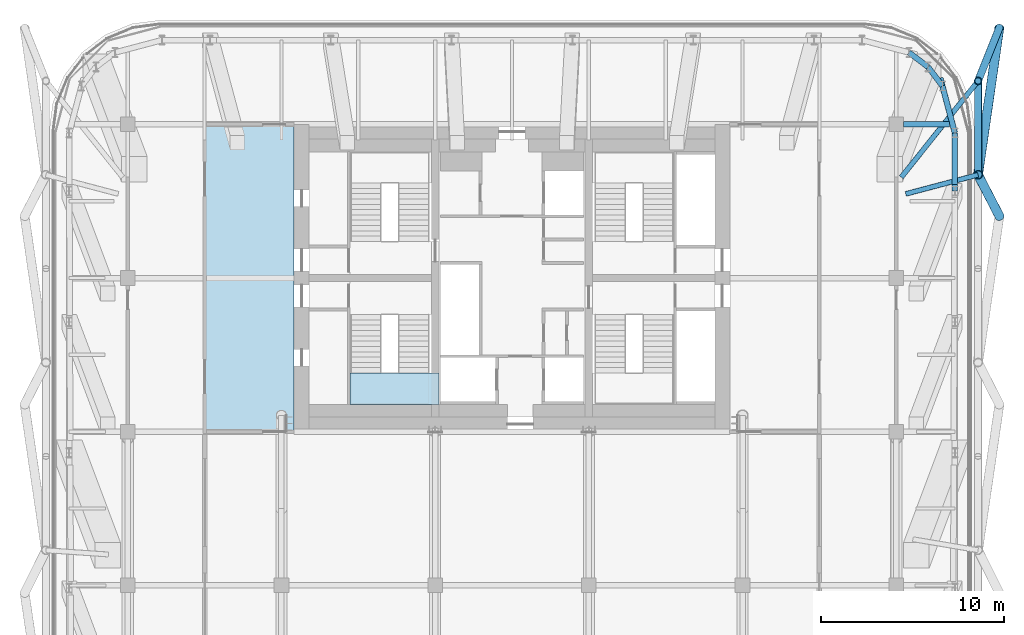
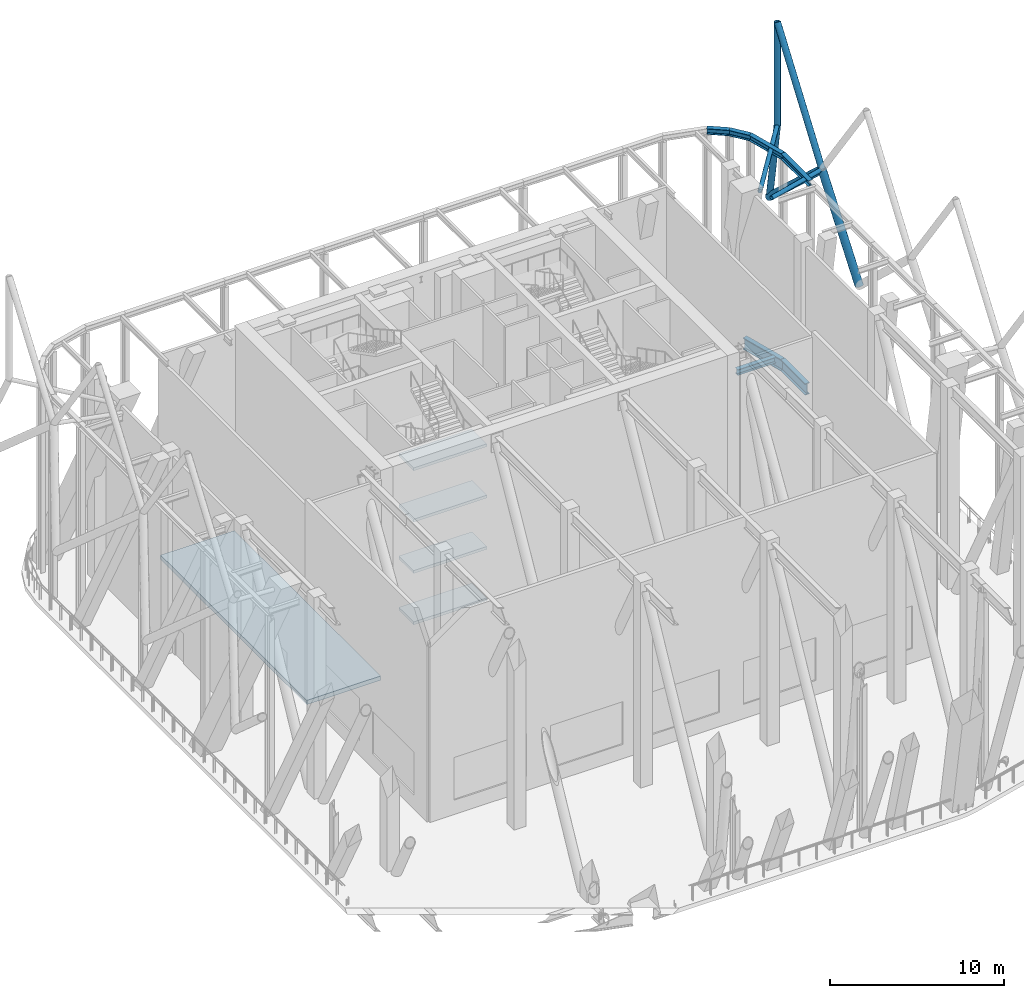
# One storey, part 8 of 20: 7 beams, 7 members, 5 slabs, 1 element without a shape of its own.
"""IFC4 building model written with IfcOpenShell, lengths in metres."""

from ifc_helpers import new_model, si_unit, direction, frame, origin, origin_2d, place, context, subcontext, project, spatial, polyline, hollow_circle, i_section, outline, extrude, material, layer, layer_set, material_profile, profile_set, type_object, element, aggregate, save


model = new_model("IFC4")

# Units and contexts
model_context = context("Model", 3, precision=1e-05, world=origin(), true_north=direction((0.0, 1.0)))
body_context = subcontext(model_context, "Body", "Model", "MODEL_VIEW")
ifc_project = project(units=[si_unit("LENGTHUNIT", "METRE"), si_unit("AREAUNIT", "SQUARE_METRE"), si_unit("VOLUMEUNIT", "CUBIC_METRE"), si_unit("PLANEANGLEUNIT", "RADIAN"), si_unit("MASSUNIT", "GRAM", prefix="KILO")], contexts=[model_context])

# Site, building, storey
site_placement = place(None, origin())
site = spatial("IfcSite", under=ifc_project, at=site_placement, CompositionType="ELEMENT")
building_placement = place(site_placement, origin())
building = spatial("IfcBuilding", under=site, at=building_placement, Name="Marenta Gate Hotel Tower", CompositionType="ELEMENT")
storey_placement = place(building_placement, frame((0.0, 0.0, 252.5)))
storey = spatial("IfcBuildingStorey", under=building, at=storey_placement, Name="L60", CompositionType="ELEMENT", Elevation=252.5)

# Members
ifc_material_1 = material(Name="Steel S355J2W", Category="steel")
ifc_material_profile_1 = material_profile(ifc_material_1, hollow_circle(Radius=0.203125, WallThickness=0.02490234375, at=origin_2d()), Name="CHS 406.4x25")
ifc_profile_set_1 = profile_set([ifc_material_profile_1], Name="Steel S355J2W")
member_type_1 = type_object("IfcMemberType", Name="Diagrid corner post Z3 CHS 406.4x25", PredefinedType="POST", material=ifc_profile_set_1)
member_1_placement = place(storey_placement, frame((26.635009765625, 22.0849609375, 6.739990234375), z_axis=(-0.148326514511, -0.371127113005, 0.916659102985), x_axis=(0.928583922291, -0.371122485525, 0.0)))
element("IfcMember", 1, at=member_1_placement, inside=storey, type_object=member_type_1, Name="L60-DR-1", PredefinedType="POST", context=body_context, shape_type="SweptSolid", body=[
    extrude(hollow_circle(Radius=0.203125, WallThickness=0.02490234375, at=origin_2d()), origin(), (0.0, 0.0, 1.0), 7.8544921875),
])
ifc_material_2 = material(Name="Steel S355J2W", Category="steel")
ifc_material_profile_2 = material_profile(ifc_material_2, hollow_circle(Radius=0.203125, WallThickness=0.01611328125, at=origin_2d()), Name="CHS 406.4x16")
ifc_profile_set_2 = profile_set([ifc_material_profile_2], Name="Steel S355J2W")
member_type_2 = type_object("IfcMemberType", Name="Diagrid corner post Z4 CHS 406.4x16", PredefinedType="POST", material=ifc_profile_set_2)
member_2_placement = place(storey_placement, frame((25.469970703125, 19.169921875, 13.93994140625), z_axis=(0.0, 0.0, 1.0), x_axis=(1.0, 0.0, 0.0)))
element("IfcMember", 2, at=member_2_placement, inside=storey, type_object=member_type_2, Name="L60-DR-7", PredefinedType="POST", context=body_context, shape_type="SweptSolid", body=[
    extrude(hollow_circle(Radius=0.203125, WallThickness=0.01611328125, at=origin_2d()), origin(), (0.0, 0.0, 1.0), 7.199951171875),
])
ifc_material_3 = material(Name="Steel S355J2W", Category="steel")
ifc_material_profile_3 = material_profile(ifc_material_3, hollow_circle(Radius=0.25390625, WallThickness=0.0400390625, at=origin_2d()), Name="CHS 508x40")
ifc_profile_set_3 = profile_set([ifc_material_profile_3], Name="Steel S355J2W")
member_type_3 = type_object("IfcMemberType", Name="Diagrid diagonal T3 CHS 508x40", PredefinedType="BRACE", material=ifc_profile_set_3)
member_3_placement = place(storey_placement, frame((26.635009765625, 22.0849609375, 6.739990234375), z_axis=(-0.107293466385, -0.740824062011, 0.663074521617), x_axis=(0.989674312051, -0.14333442038, 0.0)))
element("IfcMember", 3, at=member_3_placement, inside=storey, type_object=member_type_3, Name="L60-DG-1", PredefinedType="BRACE", context=body_context, shape_type="SweptSolid", body=[
    extrude(hollow_circle(Radius=0.25390625, WallThickness=0.0400390625, at=origin_2d()), origin(), (0.0, 0.0, 1.0), 10.8583984375),
])
member_4_placement = place(storey_placement, frame((26.635009765625, 11.78564453125, 6.739990234375), z_axis=(-0.152606305884, 0.295394896783, 0.943108249544), x_axis=(-0.888443556996, -0.458985888707, 0.0)))
element("IfcMember", 4, at=member_4_placement, inside=storey, type_object=member_type_3, Name="L60-DG-2", PredefinedType="BRACE", context=body_context, shape_type="SweptSolid", body=[
    extrude(hollow_circle(Radius=0.25390625, WallThickness=0.0400390625, at=origin_2d()), origin(), (0.0, 0.0, 1.0), 7.63427734375),
])
ifc_material_4 = material(Name="Steel S355J2W", Category="steel")
ifc_material_profile_4 = material_profile(ifc_material_4, hollow_circle(Radius=0.203125, WallThickness=0.02490234375, at=origin_2d()), Name="CHS 406.4x25")
ifc_profile_set_4 = profile_set([ifc_material_profile_4], Name="Steel S355J2W")
member_type_4 = type_object("IfcMemberType", Name="Diagrid diagonal Z4 CHS 406.4x25", PredefinedType="BRACE", material=ifc_profile_set_4)
member_5_placement = place(storey_placement, frame((25.469970703125, 14.040771484375, 13.93994140625), z_axis=(0.0, 0.580213650922, 0.81446431431), x_axis=(-1.0, 0.0, 0.0)))
element("IfcMember", 5, at=member_5_placement, inside=storey, type_object=member_type_4, Name="L60-DG-35", PredefinedType="BRACE", context=body_context, shape_type="SweptSolid", body=[
    extrude(hollow_circle(Radius=0.203125, WallThickness=0.02490234375, at=origin_2d()), origin(), (0.0, 0.0, 1.0), 8.840087890625),
])

# Beams
ifc_material_5 = material(Name="Steel S355", Category="steel")
ifc_material_profile_5 = material_profile(ifc_material_5, i_section(OverallWidth=0.302978515625, OverallDepth=0.81396484375, WebThickness=0.030029296875, FlangeThickness=0.052001953125, FilletRadius=0.030029296875, at=origin_2d()), Name="HEM 800")
ifc_profile_set_5 = profile_set([ifc_material_profile_5], Name="Steel S355")
beam_type_1 = type_object("IfcBeamType", Name="Edge beam HEM 800", PredefinedType="SPANDREL", material=ifc_profile_set_5)
beam_1_placement = place(storey_placement, frame((23.4072265625, 19.332275390625, -0.70703125), z_axis=(0.255648013319, -0.966769927794, 0.0), x_axis=(0.966769927794, 0.255648013319, 0.0)))
element("IfcBeam", 6, at=beam_1_placement, inside=storey, type_object=beam_type_1, Name="L60-EB-21", PredefinedType="SPANDREL", context=body_context, shape_type="SweptSolid", body=[
    extrude(i_section(OverallWidth=0.302978515625, OverallDepth=0.81396484375, WebThickness=0.030029296875, FlangeThickness=0.052001953125, FilletRadius=0.030029296875, at=origin_2d()), origin(), (0.0, 0.0, 1.0), 3.100830078125),
])
beam_2_placement = place(storey_placement, frame((24.199951171875, 16.33447265625, -0.70703125), z_axis=(-0.003292020626, -0.999994581285, 0.0), x_axis=(0.999994581285, -0.003292020626, 0.0)))
element("IfcBeam", 7, at=beam_2_placement, inside=storey, type_object=beam_type_1, Name="L60-EB-22", PredefinedType="SPANDREL", context=body_context, shape_type="SweptSolid", body=[
    extrude(i_section(OverallWidth=0.302978515625, OverallDepth=0.81396484375, WebThickness=0.030029296875, FlangeThickness=0.052001953125, FilletRadius=0.030029296875, at=origin_2d()), origin(), (0.0, 0.0, 1.0), 2.818115234375),
])

# Members
ifc_material_6 = material(Name="Steel S355J2W", Category="steel")
ifc_material_profile_6 = material_profile(ifc_material_6, hollow_circle(Radius=0.136474609375, WallThickness=0.012451171875, at=origin_2d()), Name="CHS 273x12.5")
ifc_profile_set_6 = profile_set([ifc_material_profile_6], Name="Steel S355J2W")
member_type_5 = type_object("IfcMemberType", Name="Floor tie CHS 273x12.5", PredefinedType="STRUT", material=ifc_profile_set_6)
member_6_placement = place(storey_placement, frame((25.469970703125, 19.169921875, 13.93994140625), z_axis=(-0.623118760931, -0.782127233751, 0.0), x_axis=(0.782127233751, -0.623118760931, 0.0)))
element("IfcMember", 8, at=member_6_placement, inside=storey, type_object=member_type_5, Name="L60-DR-13", PredefinedType="STRUT", context=body_context, shape_type="SweptSolid", body=[
    extrude(hollow_circle(Radius=0.136474609375, WallThickness=0.012451171875, at=origin_2d()), origin(), (0.0, 0.0, 1.0), 6.729736328125),
])
member_7_placement = place(storey_placement, frame((25.469970703125, 14.040771484375, 13.93994140625), z_axis=(-0.966769067154, -0.255651267928, 0.0), x_axis=(0.255651267928, -0.966769067154, 0.0)))
element("IfcMember", 9, at=member_7_placement, inside=storey, type_object=member_type_5, Name="L60-DR-14", PredefinedType="STRUT", context=body_context, shape_type="SweptSolid", body=[
    extrude(hollow_circle(Radius=0.136474609375, WallThickness=0.012451171875, at=origin_2d()), origin(), (0.0, 0.0, 1.0), 4.088134765625),
])

# Beams
ifc_material_7 = material(Name="Steel S355", Category="steel")
ifc_material_profile_7 = material_profile(ifc_material_7, i_section(OverallWidth=0.300048828125, OverallDepth=0.39990234375, WebThickness=0.013427734375, FlangeThickness=0.02392578125, FilletRadius=0.027099609375, at=origin_2d()), Name="HEB 400")
ifc_profile_set_7 = profile_set([ifc_material_profile_7], Name="Steel S355")
beam_type_2 = type_object("IfcBeamType", Name="Girder HEB 400", PredefinedType="BEAM", material=ifc_profile_set_7)
beam_3_placement = place(storey_placement, frame((21.39990234375, 16.800048828125, -0.5), z_axis=(1.0, 0.0, 0.0), x_axis=(0.0, 1.0, 0.0)))
element("IfcBeam", 10, at=beam_3_placement, inside=storey, type_object=beam_type_2, Name="L60-GD-35", PredefinedType="BEAM", context=body_context, shape_type="SweptSolid", body=[
    extrude(i_section(OverallWidth=0.300048828125, OverallDepth=0.39990234375, WebThickness=0.013427734375, FlangeThickness=0.02392578125, FilletRadius=0.027099609375, at=origin_2d()), origin(), (0.0, 0.0, 1.0), 2.520263671875),
])
ifc_material_8 = material(Name="Steel S355", Category="steel")
ifc_material_profile_8 = material_profile(ifc_material_8, i_section(OverallWidth=0.300048828125, OverallDepth=0.39990234375, WebThickness=0.013427734375, FlangeThickness=0.02392578125, FilletRadius=0.027099609375, at=origin_2d()), Name="HEB 400")
ifc_profile_set_8 = profile_set([ifc_material_profile_8], Name="Steel S355")
beam_type_3 = type_object("IfcBeamType", Name="Terrace edge beam HEB 400", PredefinedType="SPANDREL", material=ifc_profile_set_8)
for number, where, z_axis, x_axis, name in (
    (11, (21.695556640625, 20.72265625, 13.93994140625), (0.797386910814, -0.603468403865, 0.0), (0.603468403865, 0.797386910814, 0.0), "L60-TE-20"),
    (12, (22.735595703125, 19.935546875, 13.93994140625), (0.603558484076, -0.79731872943, 0.0), (0.79731872943, 0.603558484076, 0.0), "L60-TE-21"),
):
    element("IfcBeam", number, at=place(storey_placement, frame(where, z_axis=z_axis, x_axis=x_axis)), inside=storey, type_object=beam_type_3, Name=name, PredefinedType="SPANDREL", context=body_context, shape_type="SweptSolid", body=[
        extrude(i_section(OverallWidth=0.300048828125, OverallDepth=0.39990234375, WebThickness=0.013427734375, FlangeThickness=0.02392578125, FilletRadius=0.027099609375, at=origin_2d()), origin(), (0.0, 0.0, 1.0), 1.30419921875),
    ])
beam_4_placement = place(storey_placement, frame((23.522705078125, 18.895751953125, 13.93994140625), z_axis=(0.255631662681, -0.96677425133, 0.0), x_axis=(0.96677425133, 0.255631662681, 0.0)))
element("IfcBeam", 13, at=beam_4_placement, inside=storey, type_object=beam_type_3, Name="L60-TE-22", PredefinedType="SPANDREL", context=body_context, shape_type="SweptSolid", body=[
    extrude(i_section(OverallWidth=0.300048828125, OverallDepth=0.39990234375, WebThickness=0.013427734375, FlangeThickness=0.02392578125, FilletRadius=0.027099609375, at=origin_2d()), origin(), (0.0, 0.0, 1.0), 2.6494140625),
])
beam_5_placement = place(storey_placement, frame((24.199951171875, 16.33447265625, 13.93994140625), z_axis=(0.0, -1.0, 0.0), x_axis=(1.0, 0.0, 0.0)))
element("IfcBeam", 14, at=beam_5_placement, inside=storey, type_object=beam_type_3, Name="L60-TE-23", PredefinedType="SPANDREL", context=body_context, shape_type="SweptSolid", body=[
    extrude(i_section(OverallWidth=0.300048828125, OverallDepth=0.39990234375, WebThickness=0.013427734375, FlangeThickness=0.02392578125, FilletRadius=0.027099609375, at=origin_2d()), origin(), (0.0, 0.0, 1.0), 3.177978515625),
])

# Slab
ifc_material_9 = material(Name="Concrete C40", Category="concrete")
ifc_layer_1 = layer(ifc_material_9, 0.300048828125)
ifc_layer_set_1 = layer_set([ifc_layer_1], Name="Concrete C40")
slab_type_1 = type_object("IfcSlabType", Name="Core floor slab 300", PredefinedType="FLOOR", material=ifc_layer_set_1)
slab_1_placement = place(storey_placement, frame((0.0, 0.0, -0.300048828125)))
element("IfcSlab", 15, at=slab_1_placement, inside=storey, type_object=slab_type_1, Name="L60-CF-7", PredefinedType="FLOOR", context=body_context, shape_type="SweptSolid", body=[
    extrude(outline(polyline([(-11.89990234375, 16.800048828125), (-11.89990234375, 0.0), (-16.800048828125, 0.0), (-16.800048828125, 16.800048828125), (-11.89990234375, 16.800048828125)])), origin(), (0.0, 0.0, 1.0), 0.300048828125),
])

# Stair, slabs
ifc_material_10 = material(Name="Concrete C40", Category="concrete")
stair_type = type_object("IfcStairType", Name="Core exit stair 1700 wide", PredefinedType="HALF_TURN_STAIR", material=ifc_material_10)
stair_placement = place(storey_placement, origin())
stair = element("IfcStair", 16, at=stair_placement, inside=storey, type_object=stair_type, Name="Exit stair 1", PredefinedType="HALF_TURN_STAIR")
ifc_material_11 = material(Name="Concrete C40", Category="concrete")
ifc_layer_2 = layer(ifc_material_11, 0.199951171875)
ifc_layer_set_2 = layer_set([ifc_layer_2], Name="Concrete C40")
slab_type_2 = type_object("IfcSlabType", Name="Core stair landing 200", PredefinedType="LANDING", material=ifc_layer_set_2)
slab_2_placement = place(storey_placement, frame((0.0, 0.0, 1.60009765625)))
slab_2 = element("IfcSlab", 17, at=slab_2_placement, type_object=slab_type_2, Name="SL-200 ST1 landing 1", PredefinedType="LANDING", context=body_context, shape_type="SweptSolid", body=[
    extrude(outline(polyline([(-8.85009765625, 1.5), (-4.0, 1.5), (-4.0, 3.2099609375), (-8.85009765625, 3.2099609375), (-8.85009765625, 1.5)])), origin(), (0.0, 0.0, 1.0), 0.199951171875),
])
slab_3_placement = place(storey_placement, frame((0.0, 0.0, 5.199951171875)))
slab_3 = element("IfcSlab", 18, at=slab_3_placement, type_object=slab_type_2, Name="SL-200 ST1 landing 3", PredefinedType="LANDING", context=body_context, shape_type="SweptSolid", body=[
    extrude(outline(polyline([(-8.85009765625, 1.5), (-4.0, 1.5), (-4.0, 3.2099609375), (-8.85009765625, 3.2099609375), (-8.85009765625, 1.5)])), origin(), (0.0, 0.0, 1.0), 0.199951171875),
])
slab_4_placement = place(storey_placement, frame((0.0, 0.0, 8.800048828125)))
slab_4 = element("IfcSlab", 19, at=slab_4_placement, type_object=slab_type_2, Name="SL-200 ST1 landing 5", PredefinedType="LANDING", context=body_context, shape_type="SweptSolid", body=[
    extrude(outline(polyline([(-8.85009765625, 1.5), (-4.0, 1.5), (-4.0, 3.2099609375), (-8.85009765625, 3.2099609375), (-8.85009765625, 1.5)])), origin(), (0.0, 0.0, 1.0), 0.199951171875),
])
slab_5_placement = place(storey_placement, frame((0.0, 0.0, 12.39990234375)))
slab_5 = element("IfcSlab", 20, at=slab_5_placement, type_object=slab_type_2, Name="SL-200 ST1 landing 7", PredefinedType="LANDING", context=body_context, shape_type="SweptSolid", body=[
    extrude(outline(polyline([(-8.85009765625, 1.5), (-4.0, 1.5), (-4.0, 3.2099609375), (-8.85009765625, 3.2099609375), (-8.85009765625, 1.5)])), origin(), (0.0, 0.0, 1.0), 0.2001953125),
])
aggregate(stair, [slab_2, slab_3, slab_4, slab_5])

save(model, "model.ifc")
